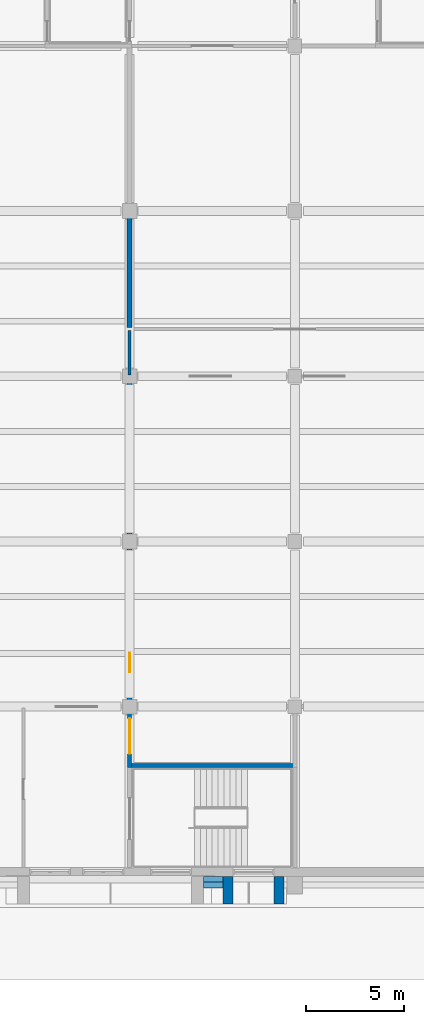
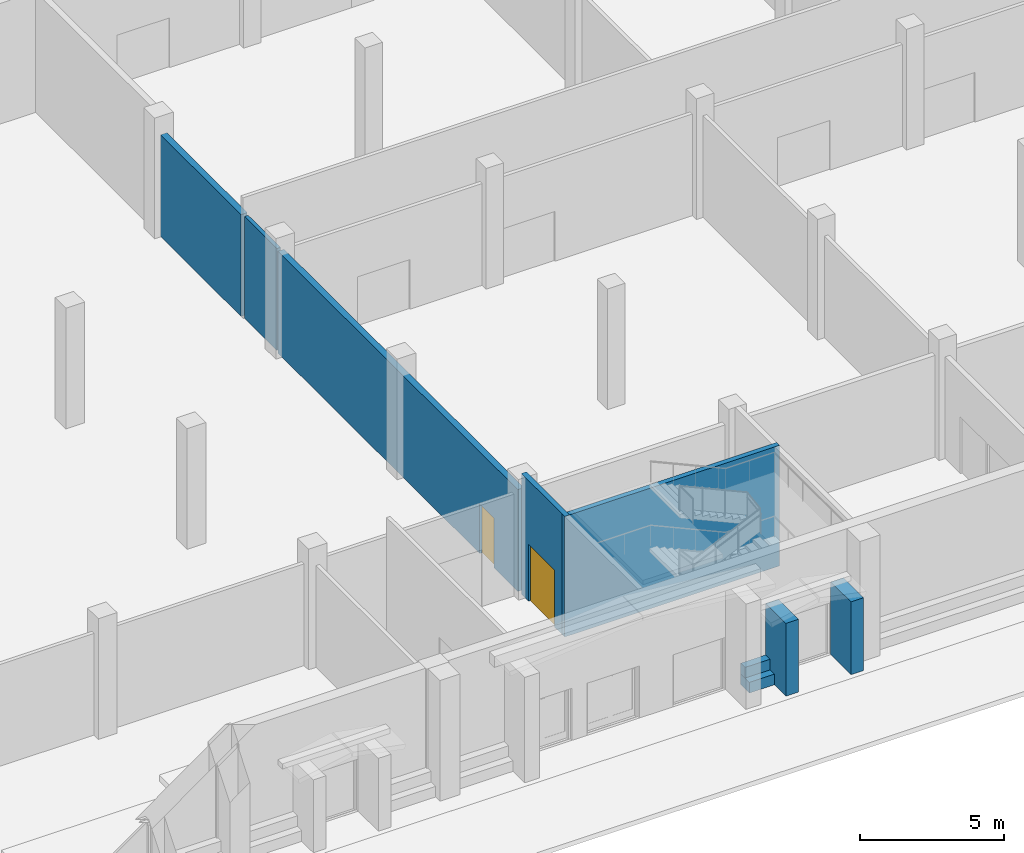
# One storey, part 30 of 74: 9 walls, 2 doors, 2 openings.
"""IFC4 building model written with IfcOpenShell, lengths in metres."""

import ifcopenshell
import ifcopenshell.guid

model = None  # the IFC model being written
_history = None  # IfcOwnerHistory: only IFC2X3 demands one
_inside = {}  # id of a spatial element -> (the spatial element, [elements in it])
_under = {}  # id of a project, library or spatial element -> (it, [spatial elements below it])
_declared = {}  # id of a project -> (the project, [libraries it declares])
_typed = {}  # id of a type object -> (the type object, [elements of that type])
_made_of = {}  # id of a material, layer set ... -> (it, [elements and type objects made of it])


def new_model(schema):
    """Start an empty IFC model of exactly this schema.

    Asked for "IFC4X3", IfcOpenShell would pick the latest addendum, in which some entities
    have other attributes; the version numbers below select the first issue.
    IFC2X3 requires an IfcOwnerHistory on every rooted entity: one is made here for all.
    """
    global model, _history
    if schema == "IFC4X3":
        model = ifcopenshell.file(schema_version=(4, 3, 0, 0))
    else:
        model = ifcopenshell.file(schema=schema)
    _inside.clear()
    _under.clear()
    _declared.clear()
    _typed.clear()
    _made_of.clear()
    _history = None
    if model.schema == "IFC2X3":
        org = make("IfcOrganization", Name="unknown")
        user = make(
            "IfcPersonAndOrganization",
            ThePerson=make("IfcPerson", FamilyName="unknown"),
            TheOrganization=org,
        )
        app = make(
            "IfcApplication",
            ApplicationDeveloper=org,
            Version="unknown",
            ApplicationFullName="unknown",
            ApplicationIdentifier="unknown",
        )
        _history = make(
            "IfcOwnerHistory",
            OwningUser=user,
            OwningApplication=app,
            ChangeAction="ADDED",
            CreationDate=0,
        )
    return model


def make(cls, **values):
    """One entity of the class cls with the attributes given. An attribute that is None is left unset."""
    return model.create_entity(
        cls, **{name: value for name, value in values.items() if value is not None}
    )


def rooted(cls, **values):
    """An entity with a GlobalId (a new one), such as an element, a storey or a relation."""
    return make(cls, GlobalId=ifcopenshell.guid.new(), OwnerHistory=_history, **values)


def si_unit(unit_type, name, prefix=None):
    """IfcSIUnit, for example si_unit("LENGTHUNIT", "METRE", prefix="MILLI")."""
    return make("IfcSIUnit", UnitType=unit_type, Prefix=prefix, Name=name)


def assignment(units):
    """IfcUnitAssignment: the units of a project."""
    return None if units is None else make("IfcUnitAssignment", Units=units)


def point(xyz):
    """IfcCartesianPoint."""
    return None if xyz is None else make("IfcCartesianPoint", Coordinates=xyz)


def direction(xyz):
    """IfcDirection."""
    return None if xyz is None else make("IfcDirection", DirectionRatios=xyz)


def frame(location, z_axis=None, x_axis=None):
    """IfcAxis2Placement3D, a coordinate frame: its origin and axes. An axis left out is left unset."""
    return make(
        "IfcAxis2Placement3D",
        Location=point(location),
        Axis=direction(z_axis),
        RefDirection=direction(x_axis),
    )


def frame_2d(location, x_axis=None):
    """IfcAxis2Placement2D, a coordinate frame in the plane: its origin and x axis."""
    return make(
        "IfcAxis2Placement2D", Location=point(location), RefDirection=direction(x_axis)
    )


def origin():
    """The frame at (0, 0, 0) with its axes left unset."""
    return frame((0.0, 0.0, 0.0))


def place(relative_to, where):
    """IfcLocalPlacement: puts the frame where relative to a parent placement (None: the world)."""
    return make(
        "IfcLocalPlacement", PlacementRelTo=relative_to, RelativePlacement=where
    )


def context(
    kind, dimensions, precision=None, world=None, true_north=None, identifier=None
):
    """IfcGeometricRepresentationContext, for example the 3D "Model" context."""
    return make(
        "IfcGeometricRepresentationContext",
        ContextIdentifier=identifier,
        ContextType=kind,
        CoordinateSpaceDimension=dimensions,
        Precision=precision,
        WorldCoordinateSystem=world,
        TrueNorth=true_north,
    )


def subcontext(parent, identifier, kind, view, scale=None):
    """IfcGeometricRepresentationSubContext, for example "Body" below "Model"."""
    return make(
        "IfcGeometricRepresentationSubContext",
        ContextIdentifier=identifier,
        ContextType=kind,
        ParentContext=parent,
        TargetScale=scale,
        TargetView=view,
    )


def project(units=None, contexts=None):
    """IfcProject with its units and contexts."""
    return rooted(
        "IfcProject",
        Name="project",
        RepresentationContexts=contexts,
        UnitsInContext=assignment(units),
    )


def spatial(cls, under=None, at=None, **own):
    """A site, building, storey or space (cls), placed at a placement, below another one or the project."""
    s = rooted(cls, ObjectPlacement=at, **own)
    if under is not None:
        _under.setdefault(under.id(), (under, []))[1].append(s)
    return s


def profile(cls, at=None, kind="AREA", **sizes):
    """A parametric profile (cls). Its sizes go by their IFC names, for example OverallWidth=200.0."""
    return make(cls, ProfileType=kind, Position=at, **sizes)


def rectangle(**sizes):
    """IfcRectangleProfileDef."""
    return profile("IfcRectangleProfileDef", **sizes)


def extrude(swept, where, along, depth):
    """IfcExtrudedAreaSolid: the profile swept, set in the frame where, extruded along a direction by depth."""
    return make(
        "IfcExtrudedAreaSolid",
        SweptArea=swept,
        Position=where,
        ExtrudedDirection=direction(along),
        Depth=depth,
    )


def shape(context_of_items, identifier, shape_type, items):
    """IfcShapeRepresentation: the items that make up one representation, for example the "Body"."""
    return make(
        "IfcShapeRepresentation",
        ContextOfItems=context_of_items,
        RepresentationIdentifier=identifier,
        RepresentationType=shape_type,
        Items=items,
    )


def material(Name=None, Category=None):
    """IfcMaterial."""
    return make("IfcMaterial", Name=Name, Category=Category)


def layer(
    of_material, thickness, ventilated=None, Name=None, Category=None, Priority=None
):
    """IfcMaterialLayer: one layer of a wall or slab, of a material (None: an air gap)."""
    return make(
        "IfcMaterialLayer",
        Material=of_material,
        LayerThickness=thickness,
        IsVentilated=ventilated,
        Name=Name,
        Category=Category,
        Priority=Priority,
    )


def layer_set(layers, Name=None):
    """IfcMaterialLayerSet."""
    return make("IfcMaterialLayerSet", MaterialLayers=layers, LayerSetName=Name)


def made_of(thing, what):
    """Note that an element or type object is made of a material, layer set ...; save() writes the relation."""
    if what is not None:
        _made_of.setdefault(what.id(), (what, []))[1].append(thing)
    return thing


def type_object(cls, material=None, **own):
    """A type object (cls), such as IfcWallType, which elements share."""
    return made_of(rooted(cls, **own), material)


def element(
    cls,
    number,
    at=None,
    inside=None,
    cuts=None,
    type_object=None,
    material=None,
    context=None,
    identifier="Body",
    shape_type=None,
    held_by="IfcProductDefinitionShape",
    body=None,
    shapes=None,
    **own,
):
    """One element of the class cls, such as IfcWall. Its Tag is "e" and its number.

    at: its placement. inside: the storey or other place that contains it. cuts: it is an
    opening in that element (IfcRelVoidsElement). A single representation is given by context,
    identifier, shape_type and body (its items); several are given by shapes. held_by: the class
    of the entity that holds the representations. save() writes the other relations.
    """
    e = rooted(cls, Tag="e%d" % number, ObjectPlacement=at, **own)
    if body is not None:
        shapes = [shape(context, identifier, shape_type, body)]
    if shapes is not None:
        e.Representation = make(held_by, Representations=shapes)
    if inside is not None:
        _inside.setdefault(inside.id(), (inside, []))[1].append(e)
    if cuts is not None:
        rooted(
            "IfcRelVoidsElement", RelatingBuildingElement=cuts, RelatedOpeningElement=e
        )
    if type_object is not None:
        _typed.setdefault(type_object.id(), (type_object, []))[1].append(e)
    return made_of(e, material)


def fill(opening, filler):
    """IfcRelFillsElement: the door or window that sits in an opening."""
    return rooted(
        "IfcRelFillsElement",
        RelatingOpeningElement=opening,
        RelatedBuildingElement=filler,
    )


def aggregate(whole, parts):
    """IfcRelAggregates: a whole, such as a stair, and the parts it consists of."""
    return rooted("IfcRelAggregates", RelatingObject=whole, RelatedObjects=parts)


def save(model, path):
    """Write the relations noted so far, then the file.

    IfcRelAggregates (storeys below a building ...), IfcRelContainedInSpatialStructure (elements
    in a storey), IfcRelDefinesByType, IfcRelAssociatesMaterial and IfcRelDeclares: one each for
    every whole, place, type object, material and project.
    """
    for whole, parts in _under.values():
        aggregate(whole, parts)
    for where, things in _inside.values():
        rooted(
            "IfcRelContainedInSpatialStructure",
            RelatedElements=things,
            RelatingStructure=where,
        )
    for kind, things in _typed.values():
        rooted("IfcRelDefinesByType", RelatedObjects=things, RelatingType=kind)
    for what, things in _made_of.values():
        rooted("IfcRelAssociatesMaterial", RelatedObjects=things, RelatingMaterial=what)
    for by, libraries in _declared.values():
        rooted("IfcRelDeclares", RelatingContext=by, RelatedDefinitions=libraries)
    model.write(path)


model = new_model("IFC4")

# Units and contexts
model_context = context("Model", 3, precision=1e-05, world=origin(), true_north=direction((0.0, 1.0)))
body_context = subcontext(model_context, "Body", "Model", "MODEL_VIEW")
ifc_project = project(units=[si_unit("LENGTHUNIT", "METRE"), si_unit("AREAUNIT", "SQUARE_METRE"), si_unit("VOLUMEUNIT", "CUBIC_METRE"), si_unit("PLANEANGLEUNIT", "RADIAN"), si_unit("MASSUNIT", "GRAM", prefix="KILO")], contexts=[model_context])

# Site, building, storey
site_placement = place(None, origin())
site = spatial("IfcSite", under=ifc_project, at=site_placement, CompositionType="ELEMENT")
building_placement = place(site_placement, origin())
building = spatial("IfcBuilding", under=site, at=building_placement, Name="Rulbaag Community and Learning Centre", CompositionType="ELEMENT")
storey_placement = place(building_placement, origin())
storey = spatial("IfcBuildingStorey", under=building, at=storey_placement, Name="L00", CompositionType="ELEMENT", Elevation=0.0)

# Wall, opening, door
ifc_material_1 = material(Name="Concrete M30", Category="concrete")
ifc_layer_1 = layer(ifc_material_1, 0.25)
ifc_layer_set_1 = layer_set([ifc_layer_1], Name="CW-250 COMPARTMENT WALL 250")
wall_type_1 = type_object("IfcWallType", Name="CW-250 COMPARTMENT WALL 250", PredefinedType="SOLIDWALL", material=ifc_layer_set_1)
wall_1_placement = place(storey_placement, frame((117.60009765625, 8.5, 0.0), z_axis=(0.0, 0.0, 1.0), x_axis=(0.0, 1.0, 0.0)))
wall_1 = element("IfcWall", 1, at=wall_1_placement, inside=storey, type_object=wall_type_1, Name="Fire wall L00 87", PredefinedType="SOLIDWALL", context=body_context, shape_type="SweptSolid", body=[
    extrude(rectangle(XDim=16.625, YDim=0.25, at=frame_2d((8.3125, 0.0))), origin(), (0.0, 0.0, 1.0), 4.300048828125),
])
opening_1_placement = place(wall_1_placement, frame((1.639892578125, 0.0, 0.0)))
opening_1 = element("IfcOpeningElement", 2, at=opening_1_placement, cuts=wall_1, Name="Opening L00-D103", PredefinedType="OPENING", context=body_context, shape_type="SweptSolid", body=[
    extrude(rectangle(XDim=1.0, YDim=2.10009765625, at=frame_2d((0.5, 1.050048828125))), frame((0.0, 0.135009765625, 0.0), z_axis=(0.0, -1.0, 0.0), x_axis=(1.0, 0.0, 0.0)), (0.0, 0.0, 1.0), 0.27001953125),
])
ifc_material_2 = material(Name="Galvanised steel", Category="steel")
door_type_1 = type_object("IfcDoorType", Name="FD-1000 FIRE DOOR 1000 x 2100", OperationType="SINGLE_SWING_LEFT", PredefinedType="DOOR", material=ifc_material_2)
door_1_placement = place(opening_1_placement, origin())
door_1 = element("IfcDoor", 3, at=door_1_placement, inside=storey, type_object=door_type_1, Name="Door L00-D103", OperationType="SINGLE_SWING_RIGHT", OverallHeight=2.10009765625, OverallWidth=1.0, PredefinedType="DOOR", context=body_context, shape_type="SweptSolid", body=[
    extrude(rectangle(XDim=1.0, YDim=2.10009765625, at=frame_2d((0.5, 1.050048828125))), frame((0.0, 0.02490234375, 0.0), z_axis=(0.0, -1.0, 0.0), x_axis=(1.0, 0.0, 0.0)), (0.0, 0.0, 1.0), 0.050048828125),
])
fill(opening_1, door_1)

# Walls
wall_2_placement = place(storey_placement, frame((117.60009765625, 27.675048828125, 0.0), z_axis=(0.0, 0.0, 1.0), x_axis=(0.0, 1.0, 0.0)))
element("IfcWall", 4, at=wall_2_placement, inside=storey, type_object=wall_type_1, Name="Fire wall L00 89", PredefinedType="SOLIDWALL", context=body_context, shape_type="SweptSolid", body=[
    extrude(rectangle(XDim=5.570068359375, YDim=0.25, at=frame_2d((2.78515625, 0.0))), origin(), (0.0, 0.0, 1.0), 4.300048828125),
])
ifc_material_3 = material(Name="Concrete M40", Category="concrete")
ifc_layer_2 = layer(ifc_material_3, 0.5)
ifc_layer_set_2 = layer_set([ifc_layer_2], Name="EW-PJB5")
wall_type_2 = type_object("IfcWallType", Name="EW-PJB5", PredefinedType="SOLIDWALL", material=ifc_layer_set_2)
for number, where, z_axis, x_axis, name in (
    (5, (122.60009765625, -0.22509765625, 0.0), (0.0, 0.0, 1.0), (0.0, -1.0, 0.0), "Portal jamb"),
    (6, (125.199951171875, -0.22509765625, 0.0), (0.0, 0.0, 1.0), (0.0, -1.0, 0.0), "Portal jamb"),
):
    element("IfcWall", number, at=place(storey_placement, frame(where, z_axis=z_axis, x_axis=x_axis)), inside=storey, type_object=wall_type_2, Name=name, PredefinedType="SOLIDWALL", context=body_context, shape_type="SweptSolid", body=[
        extrude(rectangle(XDim=1.39990234375, YDim=0.5, at=frame_2d((0.699951171875, 0.0))), origin(), (0.0, 0.0, 1.0), 3.080078125),
    ])
ifc_layer_3 = layer(ifc_material_3, 0.60009765625)
ifc_layer_set_3 = layer_set([ifc_layer_3], Name="EW-PLN1")
wall_type_3 = type_object("IfcWallType", Name="EW-PLN1", PredefinedType="SOLIDWALL", material=ifc_layer_set_3)
wall_3_placement = place(storey_placement, frame((121.35009765625, -0.52490234375, 0.0), z_axis=(0.0, 0.0, 1.0), x_axis=(1.0, 0.0, 0.0)))
element("IfcWall", 7, at=wall_3_placement, inside=storey, type_object=wall_type_3, Name="Battered plinth", PredefinedType="SOLIDWALL", context=body_context, shape_type="SweptSolid", body=[
    extrude(rectangle(XDim=1.0, YDim=0.60009765625, at=frame_2d((0.5, 0.0))), origin(), (0.0, 0.0, 1.0), 0.449951171875),
])
ifc_layer_4 = layer(ifc_material_3, 0.300048828125)
ifc_layer_set_4 = layer_set([ifc_layer_4], Name="EW-PLN2")
wall_type_4 = type_object("IfcWallType", Name="EW-PLN2", PredefinedType="SOLIDWALL", material=ifc_layer_set_4)
wall_4_placement = place(storey_placement, frame((121.35009765625, -0.375, 0.449951171875), z_axis=(0.0, 0.0, 1.0), x_axis=(1.0, 0.0, 0.0)))
element("IfcWall", 8, at=wall_4_placement, inside=storey, type_object=wall_type_4, Name="Battered plinth", PredefinedType="SOLIDWALL", context=body_context, shape_type="SweptSolid", body=[
    extrude(rectangle(XDim=1.0, YDim=0.300048828125, at=frame_2d((0.5, 0.0))), origin(), (0.0, 0.0, 1.0), 0.449951171875),
])

# Wall, opening, door
ifc_material_4 = material(Name="Concrete blockwork", Category="masonry")
ifc_layer_5 = layer(ifc_material_4, 0.199951171875)
ifc_layer_set_5 = layer_set([ifc_layer_5], Name="FW-200 FIRE WALL 200")
wall_type_5 = type_object("IfcWallType", Name="FW-200 FIRE WALL 200", PredefinedType="SOLIDWALL", material=ifc_layer_set_5)
wall_5_placement = place(storey_placement, frame((117.60009765625, 5.300048828125, 0.0), z_axis=(0.0, 0.0, 1.0), x_axis=(0.0, 1.0, 0.0)))
wall_5 = element("IfcWall", 9, at=wall_5_placement, inside=storey, type_object=wall_type_5, Name="Fire wall L00 86", PredefinedType="SOLIDWALL", context=body_context, shape_type="SweptSolid", body=[
    extrude(rectangle(XDim=3.0, YDim=0.199951171875, at=frame_2d((1.5, 0.0))), origin(), (0.0, 0.0, 1.0), 5.10009765625),
])
opening_2_placement = place(wall_5_placement, frame((0.699951171875, 0.0, 0.0)))
opening_2 = element("IfcOpeningElement", 10, at=opening_2_placement, cuts=wall_5, Name="Opening L00-D102", PredefinedType="OPENING", context=body_context, shape_type="SweptSolid", body=[
    extrude(rectangle(XDim=1.800048828125, YDim=2.39990234375, at=frame_2d((0.89990234375, 1.199951171875))), frame((0.0, 0.10986328125, 0.0), z_axis=(0.0, -1.0, 0.0), x_axis=(1.0, 0.0, 0.0)), (0.0, 0.0, 1.0), 0.219970703125),
])
ifc_material_5 = material(Name="Timber", Category="wood")
door_type_2 = type_object("IfcDoorType", Name="D-1800 GENERATOR AND SWITCHGEAR ROOM DOOR 1800 x 2400", OperationType="DOUBLE_DOOR_SINGLE_SWING", PredefinedType="DOOR", material=ifc_material_5)
door_2_placement = place(opening_2_placement, origin())
door_2 = element("IfcDoor", 11, at=door_2_placement, inside=storey, type_object=door_type_2, Name="Door L00-D102", OperationType="DOUBLE_DOOR_SINGLE_SWING", OverallHeight=2.39990234375, OverallWidth=1.800048828125, PredefinedType="DOOR", context=body_context, shape_type="SweptSolid", body=[
    extrude(rectangle(XDim=1.800048828125, YDim=2.39990234375, at=frame_2d((0.89990234375, 1.199951171875))), frame((0.0, 0.02490234375, 0.0), z_axis=(0.0, -1.0, 0.0), x_axis=(1.0, 0.0, 0.0)), (0.0, 0.0, 1.0), 0.050048828125),
])
fill(opening_2, door_2)

# Walls
ifc_layer_6 = layer(ifc_material_4, 0.14990234375)
ifc_layer_set_6 = layer_set([ifc_layer_6], Name="IP-150 PARTITION 150")
wall_type_6 = type_object("IfcWallType", Name="IP-150 PARTITION 150", PredefinedType="PARTITIONING", material=ifc_layer_set_6)
wall_6_placement = place(storey_placement, frame((117.60009765625, 25.27490234375, 0.0), z_axis=(0.0, 0.0, 1.0), x_axis=(0.0, 1.0, 0.0)))
element("IfcWall", 12, at=wall_6_placement, inside=storey, type_object=wall_type_6, Name="Partition L00 88", PredefinedType="PARTITIONING", context=body_context, shape_type="SweptSolid", body=[
    extrude(rectangle(XDim=2.25, YDim=0.14990234375, at=frame_2d((1.125, 0.0))), origin(), (0.0, 0.0, 1.0), 4.300048828125),
])
ifc_layer_7 = layer(ifc_material_3, 0.199951171875)
ifc_layer_set_7 = layer_set([ifc_layer_7], Name="WSE Stair enclosure wall 200 Concrete M40")
wall_type_7 = type_object("IfcWallType", Name="WSE Stair enclosure wall 200 Concrete M40", PredefinedType="SHEAR", material=ifc_layer_set_7)
wall_7_placement = place(storey_placement, frame((117.5, 5.39990234375, 0.0), z_axis=(0.0, 0.0, 1.0), x_axis=(1.0, 0.0, 0.0)))
element("IfcWall", 13, at=wall_7_placement, inside=storey, type_object=wall_type_7, Name="Stair enclosure wall SH11 N L00", PredefinedType="SHEAR", context=body_context, shape_type="SweptSolid", body=[
    extrude(rectangle(XDim=8.60009765625, YDim=0.199951171875, at=frame_2d((4.300048828125, 0.0))), origin(), (0.0, 0.0, 1.0), 5.10009765625),
])

save(model, "model.ifc")
